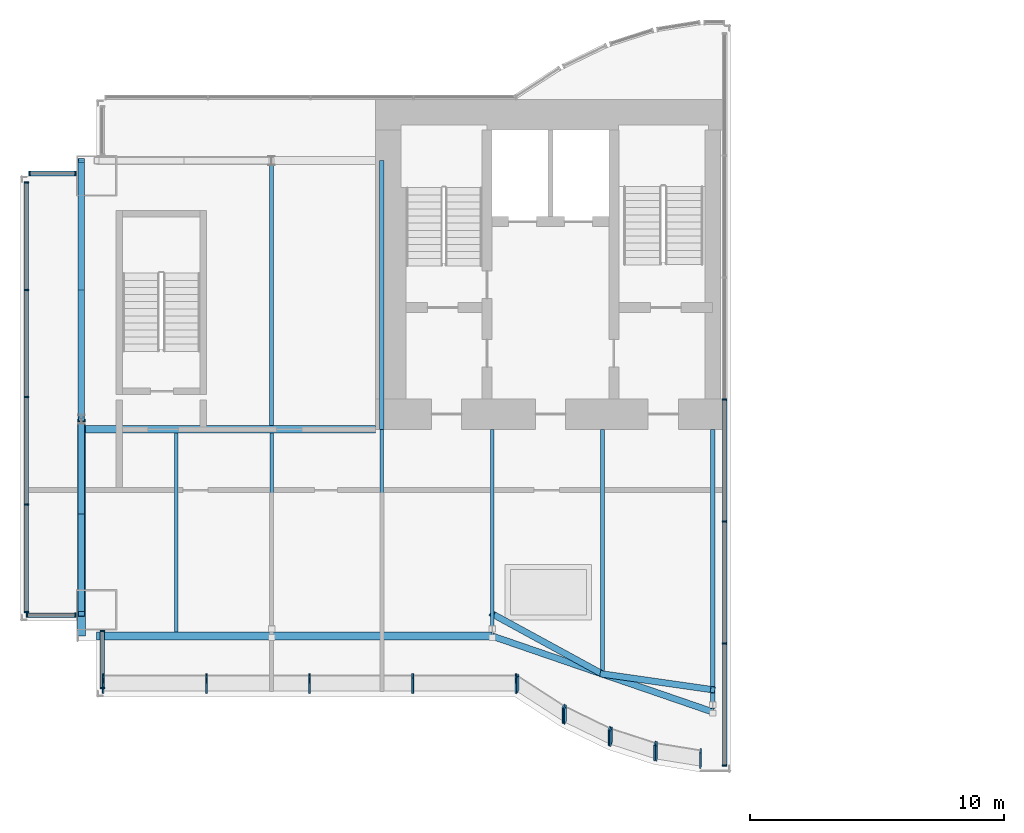
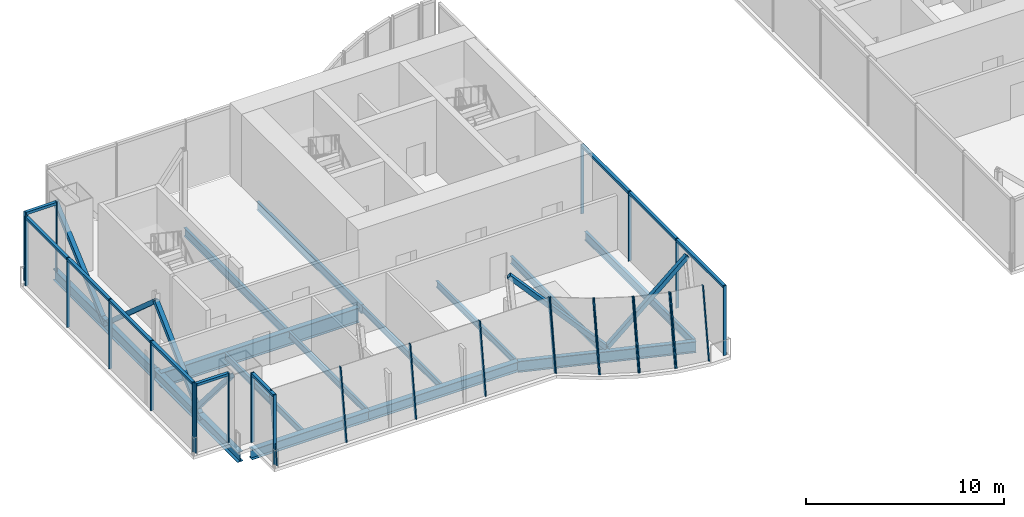
# One storey, part 3 of 14: 44 members, 14 beams, 10 elements without a shape of their own.
"""IFC4 building model written with IfcOpenShell, lengths in metres."""

from ifc_helpers import new_model, si_unit, direction, frame, origin, origin_2d, place, context, subcontext, project, spatial, rectangle, hollow_rectangle, i_section, extrude, material, material_profile, profile_set, type_object, element, aggregate, save


model = new_model("IFC4")

# Units and contexts
model_context = context("Model", 3, precision=1e-05, world=origin(), true_north=direction((0.0, 1.0)))
body_context = subcontext(model_context, "Body", "Model", "MODEL_VIEW")
ifc_project = project(units=[si_unit("LENGTHUNIT", "METRE"), si_unit("AREAUNIT", "SQUARE_METRE"), si_unit("VOLUMEUNIT", "CUBIC_METRE"), si_unit("PLANEANGLEUNIT", "RADIAN"), si_unit("MASSUNIT", "GRAM", prefix="KILO")], contexts=[model_context])

# Site, building, storey
site_placement = place(None, origin())
site = spatial("IfcSite", under=ifc_project, at=site_placement, CompositionType="ELEMENT")
building_placement = place(site_placement, origin())
building = spatial("IfcBuilding", under=site, at=building_placement, Name="Bicima Exchange Tower", CompositionType="ELEMENT")
storey_placement = place(building_placement, frame((0.0, 0.0, 352.39990234375)))
storey = spatial("IfcBuildingStorey", under=building, at=storey_placement, Name="L79", CompositionType="ELEMENT", Elevation=352.39990234375)

# Beam
ifc_material_1 = material(Name="Steel ASTM A992 Gr 50", Category="steel")
ifc_material_profile_1 = material_profile(ifc_material_1, i_section(OverallWidth=0.3046875, OverallDepth=0.911865234375, WebThickness=0.015869140625, FlangeThickness=0.02392578125, at=origin_2d()))
ifc_profile_set_1 = profile_set([ifc_material_profile_1], Name="Steel ASTM A992 Gr 50")
beam_type_1 = type_object("IfcBeamType", Name="Core-line girder W36x150", PredefinedType="BEAM", material=ifc_profile_set_1)
beam_1_placement = place(storey_placement, frame((-22.0, -13.0, -0.65576171875), z_axis=(-1.0, 0.0, 0.0), x_axis=(0.0, -1.0, 0.0)))
element("IfcBeam", 1, at=beam_1_placement, inside=storey, type_object=beam_type_1, Name="Core-line girder", PredefinedType="BEAM", context=body_context, shape_type="SweptSolid", body=[
    extrude(i_section(OverallWidth=0.3046875, OverallDepth=0.911865234375, WebThickness=0.015869140625, FlangeThickness=0.02392578125, at=origin_2d()), origin(), (0.0, 0.0, 1.0), 11.60009765625),
])

# Curtain wall, members
ifc_material_2 = material(Name="Anodised bronze aluminium", Category="aluminium")
curtain_wall_type = type_object("IfcCurtainWallType", Name="Crown glass wall", PredefinedType="NOTDEFINED", material=ifc_material_2)
curtain_wall_1_placement = place(storey_placement, origin())
curtain_wall_1 = element("IfcCurtainWall", 2, at=curtain_wall_1_placement, inside=storey, type_object=curtain_wall_type, Name="Crown glass wall L79 run 2", PredefinedType="NOTDEFINED")
ifc_material_profile_2 = material_profile(ifc_material_2, rectangle(XDim=0.179931640625, YDim=0.06005859375, at=origin_2d()))
ifc_profile_set_2 = profile_set([ifc_material_profile_2], Name="Anodised bronze aluminium")
member_type_1 = type_object("IfcMemberType", Name="Crown glass wall mullion 60 x 180", PredefinedType="MULLION", material=ifc_profile_set_2)
member_1_placement = place(storey_placement, frame((-8.22998046875, -26.258544921875, 0.0), z_axis=(0.0, 0.0, 1.0), x_axis=(-1.0, 0.0, 0.0)))
member_1 = element("IfcMember", 3, at=member_1_placement, type_object=member_type_1, Name="Crown glass wall mullion 1", PredefinedType="MULLION", context=body_context, shape_type="SweptSolid", body=[
    extrude(rectangle(XDim=0.179931640625, YDim=0.06005859375, at=origin_2d()), origin(), (0.0, 0.0, 1.0), 4.300048828125),
])
member_2_placement = place(storey_placement, frame((-8.22998046875, -21.446533203125, 0.0), z_axis=(0.0, 0.0, 1.0), x_axis=(-1.0, 0.0, 0.0)))
member_2 = element("IfcMember", 4, at=member_2_placement, type_object=member_type_1, Name="Crown glass wall mullion 2", PredefinedType="MULLION", context=body_context, shape_type="SweptSolid", body=[
    extrude(rectangle(XDim=0.179931640625, YDim=0.06005859375, at=origin_2d()), origin(), (0.0, 0.0, 1.0), 4.300048828125),
])
member_3_placement = place(storey_placement, frame((-8.22998046875, -16.634765625, 0.0), z_axis=(0.0, 0.0, 1.0), x_axis=(-1.0, 0.0, 0.0)))
member_3 = element("IfcMember", 5, at=member_3_placement, type_object=member_type_1, Name="Crown glass wall mullion 3", PredefinedType="MULLION", context=body_context, shape_type="SweptSolid", body=[
    extrude(rectangle(XDim=0.179931640625, YDim=0.06005859375, at=origin_2d()), origin(), (0.0, 0.0, 1.0), 4.300048828125),
])
member_4_placement = place(storey_placement, frame((-8.22998046875, -11.82275390625, 0.0), z_axis=(0.0, 0.0, 1.0), x_axis=(-1.0, 0.0, 0.0)))
member_4 = element("IfcMember", 6, at=member_4_placement, type_object=member_type_1, Name="Crown glass wall mullion 4", PredefinedType="MULLION", context=body_context, shape_type="SweptSolid", body=[
    extrude(rectangle(XDim=0.179931640625, YDim=0.06005859375, at=origin_2d()), origin(), (0.0, 0.0, 1.0), 4.300048828125),
])

curtain_wall_2_placement = place(storey_placement, origin())
curtain_wall_2 = element("IfcCurtainWall", 7, at=curtain_wall_2_placement, inside=storey, type_object=curtain_wall_type, Name="Crown glass wall L79 run 10", PredefinedType="NOTDEFINED")
member_5_placement = place(storey_placement, frame((-33.830078125, -2.909912109375, 0.0), z_axis=(0.0, 0.0, 1.0), x_axis=(0.0, -1.0, 0.0)))
member_5 = element("IfcMember", 8, at=member_5_placement, type_object=member_type_1, Name="Crown glass wall mullion 1", PredefinedType="MULLION", context=body_context, shape_type="SweptSolid", body=[
    extrude(rectangle(XDim=0.179931640625, YDim=0.06005859375, at=origin_2d()), origin(), (0.0, 0.0, 1.0), 4.300048828125),
])
member_6_placement = place(storey_placement, frame((-35.64990234375, -2.909912109375, 0.0), z_axis=(0.0, 0.0, 1.0), x_axis=(0.0, -1.0, 0.0)))
member_6 = element("IfcMember", 9, at=member_6_placement, type_object=member_type_1, Name="Crown glass wall mullion 2", PredefinedType="MULLION", context=body_context, shape_type="SweptSolid", body=[
    extrude(rectangle(XDim=0.179931640625, YDim=0.06005859375, at=origin_2d()), origin(), (0.0, 0.0, 1.0), 4.300048828125),
])

curtain_wall_3_placement = place(storey_placement, origin())
curtain_wall_3 = element("IfcCurtainWall", 10, at=curtain_wall_3_placement, inside=storey, type_object=curtain_wall_type, Name="Crown glass wall L79 run 11", PredefinedType="NOTDEFINED")
member_7_placement = place(storey_placement, frame((-35.77001953125, -3.260009765625, 0.0), z_axis=(0.0, 0.0, 1.0), x_axis=(1.0, 0.0, 0.0)))
member_7 = element("IfcMember", 11, at=member_7_placement, type_object=member_type_1, Name="Crown glass wall mullion 1", PredefinedType="MULLION", context=body_context, shape_type="SweptSolid", body=[
    extrude(rectangle(XDim=0.179931640625, YDim=0.06005859375, at=origin_2d()), origin(), (0.0, 0.0, 1.0), 4.300048828125),
])
member_8_placement = place(storey_placement, frame((-35.77001953125, -7.496337890625, 0.0), z_axis=(0.0, 0.0, 1.0), x_axis=(1.0, 0.0, 0.0)))
member_8 = element("IfcMember", 12, at=member_8_placement, type_object=member_type_1, Name="Crown glass wall mullion 2", PredefinedType="MULLION", context=body_context, shape_type="SweptSolid", body=[
    extrude(rectangle(XDim=0.179931640625, YDim=0.06005859375, at=origin_2d()), origin(), (0.0, 0.0, 1.0), 4.300048828125),
])
member_9_placement = place(storey_placement, frame((-35.77001953125, -11.73291015625, 0.0), z_axis=(0.0, 0.0, 1.0), x_axis=(1.0, 0.0, 0.0)))
member_9 = element("IfcMember", 13, at=member_9_placement, type_object=member_type_1, Name="Crown glass wall mullion 3", PredefinedType="MULLION", context=body_context, shape_type="SweptSolid", body=[
    extrude(rectangle(XDim=0.179931640625, YDim=0.06005859375, at=origin_2d()), origin(), (0.0, 0.0, 1.0), 4.300048828125),
])
member_10_placement = place(storey_placement, frame((-35.77001953125, -15.96923828125, 0.0), z_axis=(0.0, 0.0, 1.0), x_axis=(1.0, 0.0, 0.0)))
member_10 = element("IfcMember", 14, at=member_10_placement, type_object=member_type_1, Name="Crown glass wall mullion 4", PredefinedType="MULLION", context=body_context, shape_type="SweptSolid", body=[
    extrude(rectangle(XDim=0.179931640625, YDim=0.06005859375, at=origin_2d()), origin(), (0.0, 0.0, 1.0), 4.300048828125),
])
member_11_placement = place(storey_placement, frame((-35.77001953125, -20.20556640625, 0.0), z_axis=(0.0, 0.0, 1.0), x_axis=(1.0, 0.0, 0.0)))
member_11 = element("IfcMember", 15, at=member_11_placement, type_object=member_type_1, Name="Crown glass wall mullion 5", PredefinedType="MULLION", context=body_context, shape_type="SweptSolid", body=[
    extrude(rectangle(XDim=0.179931640625, YDim=0.06005859375, at=origin_2d()), origin(), (0.0, 0.0, 1.0), 4.300048828125),
])

curtain_wall_4_placement = place(storey_placement, origin())
curtain_wall_4 = element("IfcCurtainWall", 16, at=curtain_wall_4_placement, inside=storey, type_object=curtain_wall_type, Name="Crown glass wall L79 run 12", PredefinedType="NOTDEFINED")
member_12_placement = place(storey_placement, frame((-35.739990234375, -20.32568359375, 0.0), z_axis=(0.0, 0.0, 1.0), x_axis=(0.0, 1.0, 0.0)))
member_12 = element("IfcMember", 17, at=member_12_placement, type_object=member_type_1, Name="Crown glass wall mullion 1", PredefinedType="MULLION", context=body_context, shape_type="SweptSolid", body=[
    extrude(rectangle(XDim=0.179931640625, YDim=0.06005859375, at=origin_2d()), origin(), (0.0, 0.0, 1.0), 4.300048828125),
])
member_13_placement = place(storey_placement, frame((-33.830078125, -20.32568359375, 0.0), z_axis=(0.0, 0.0, 1.0), x_axis=(0.0, 1.0, 0.0)))
member_13 = element("IfcMember", 18, at=member_13_placement, type_object=member_type_1, Name="Crown glass wall mullion 2", PredefinedType="MULLION", context=body_context, shape_type="SweptSolid", body=[
    extrude(rectangle(XDim=0.179931640625, YDim=0.06005859375, at=origin_2d()), origin(), (0.0, 0.0, 1.0), 4.300048828125),
])

curtain_wall_5_placement = place(storey_placement, origin())
curtain_wall_5 = element("IfcCurtainWall", 19, at=curtain_wall_5_placement, inside=storey, type_object=curtain_wall_type, Name="Crown glass wall L79 run 13", PredefinedType="NOTDEFINED")
member_14_placement = place(storey_placement, frame((-32.77001953125, -20.947265625, 0.0), z_axis=(0.0, 0.0, 1.0), x_axis=(1.0, 0.0, 0.0)))
member_14 = element("IfcMember", 20, at=member_14_placement, type_object=member_type_1, Name="Crown glass wall mullion 1", PredefinedType="MULLION", context=body_context, shape_type="SweptSolid", body=[
    extrude(rectangle(XDim=0.179931640625, YDim=0.06005859375, at=origin_2d()), origin(), (0.0, 0.0, 1.0), 4.300048828125),
])
member_15_placement = place(storey_placement, frame((-32.77001953125, -23.20556640625, 0.0), z_axis=(0.0, 0.0, 1.0), x_axis=(1.0, 0.0, 0.0)))
member_15 = element("IfcMember", 21, at=member_15_placement, type_object=member_type_1, Name="Crown glass wall mullion 2", PredefinedType="MULLION", context=body_context, shape_type="SweptSolid", body=[
    extrude(rectangle(XDim=0.179931640625, YDim=0.06005859375, at=origin_2d()), origin(), (0.0, 0.0, 1.0), 4.300048828125),
])

curtain_wall_6_placement = place(storey_placement, origin())
curtain_wall_6 = element("IfcCurtainWall", 22, at=curtain_wall_6_placement, inside=storey, type_object=curtain_wall_type, Name="Crown tilted glass L79 14.1", PredefinedType="NOTDEFINED")
member_16_placement = place(storey_placement, frame((-32.739990234375, -23.32568359375, 0.0), z_axis=(0.0, 0.139209174124, 0.990262998319), x_axis=(0.0, -0.990262998319, 0.139209174124)))
member_16 = element("IfcMember", 23, at=member_16_placement, type_object=member_type_1, Name="Crown tilted mullion 1", PredefinedType="MULLION", context=body_context, shape_type="SweptSolid", body=[
    extrude(rectangle(XDim=0.179931640625, YDim=0.06005859375, at=origin_2d()), origin(), (0.0, 0.0, 1.0), 4.34228515625),
])
member_17_placement = place(storey_placement, frame((-28.67041015625, -23.32568359375, 0.0), z_axis=(0.0, 0.139209174124, 0.990262998319), x_axis=(0.0, -0.990262998319, 0.139209174124)))
member_17 = element("IfcMember", 24, at=member_17_placement, type_object=member_type_1, Name="Crown tilted mullion 2", PredefinedType="MULLION", context=body_context, shape_type="SweptSolid", body=[
    extrude(rectangle(XDim=0.179931640625, YDim=0.06005859375, at=origin_2d()), origin(), (0.0, 0.0, 1.0), 4.34228515625),
])
member_18_placement = place(storey_placement, frame((-24.60107421875, -23.32568359375, 0.0), z_axis=(0.0, 0.139209174124, 0.990262998319), x_axis=(0.0, -0.990262998319, 0.139209174124)))
member_18 = element("IfcMember", 25, at=member_18_placement, type_object=member_type_1, Name="Crown tilted mullion 3", PredefinedType="MULLION", context=body_context, shape_type="SweptSolid", body=[
    extrude(rectangle(XDim=0.179931640625, YDim=0.06005859375, at=origin_2d()), origin(), (0.0, 0.0, 1.0), 4.34228515625),
])
member_19_placement = place(storey_placement, frame((-20.531494140625, -23.32568359375, 0.0), z_axis=(0.0, 0.139209174124, 0.990262998319), x_axis=(0.0, -0.990262998319, 0.139209174124)))
member_19 = element("IfcMember", 26, at=member_19_placement, type_object=member_type_1, Name="Crown tilted mullion 4", PredefinedType="MULLION", context=body_context, shape_type="SweptSolid", body=[
    extrude(rectangle(XDim=0.179931640625, YDim=0.06005859375, at=origin_2d()), origin(), (0.0, 0.0, 1.0), 4.34228515625),
])
member_20_placement = place(storey_placement, frame((-16.462158203125, -23.32568359375, 0.0), z_axis=(0.0, 0.139209174124, 0.990262998319), x_axis=(0.0, -0.990262998319, 0.139209174124)))
member_20 = element("IfcMember", 27, at=member_20_placement, type_object=member_type_1, Name="Crown tilted mullion 5", PredefinedType="MULLION", context=body_context, shape_type="SweptSolid", body=[
    extrude(rectangle(XDim=0.179931640625, YDim=0.06005859375, at=origin_2d()), origin(), (0.0, 0.0, 1.0), 4.34228515625),
])
aggregate(curtain_wall_6, [member_16, member_17, member_18, member_19, member_20])

curtain_wall_7_placement = place(storey_placement, origin())
curtain_wall_7 = element("IfcCurtainWall", 28, at=curtain_wall_7_placement, inside=storey, type_object=curtain_wall_type, Name="Crown tilted glass L79 15.1", PredefinedType="NOTDEFINED")
member_21_placement = place(storey_placement, frame((-16.406982421875, -23.341796875, 0.0), z_axis=(0.0, 0.139154039626, 0.99027074745), x_axis=(-0.542910648791, -0.831619932848, 0.116860235837)))
member_21 = element("IfcMember", 29, at=member_21_placement, type_object=member_type_1, Name="Crown tilted mullion 1", PredefinedType="MULLION", context=body_context, shape_type="SweptSolid", body=[
    extrude(rectangle(XDim=0.179931640625, YDim=0.06005859375, at=origin_2d()), origin(), (0.0, 0.0, 1.0), 4.34228515625),
])
member_22_placement = place(storey_placement, frame((-14.578857421875, -24.523681640625, 0.0), z_axis=(0.0, 0.139154039626, 0.99027074745), x_axis=(-0.542910648791, -0.831619932848, 0.116860235837)))
member_22 = element("IfcMember", 30, at=member_22_placement, type_object=member_type_1, Name="Crown tilted mullion 2", PredefinedType="MULLION", context=body_context, shape_type="SweptSolid", body=[
    extrude(rectangle(XDim=0.179931640625, YDim=0.06005859375, at=origin_2d()), origin(), (0.0, 0.0, 1.0), 4.34228515625),
])
aggregate(curtain_wall_7, [member_21, member_22])

curtain_wall_8_placement = place(storey_placement, origin())
curtain_wall_8 = element("IfcCurtainWall", 31, at=curtain_wall_8_placement, inside=storey, type_object=curtain_wall_type, Name="Crown tilted glass L79 16.1", PredefinedType="NOTDEFINED")
member_23_placement = place(storey_placement, frame((-14.526611328125, -24.552978515625, 0.0), z_axis=(0.0, 0.139154039626, 0.99027074745), x_axis=(-0.436225499807, -0.891082636457, 0.125216006656)))
member_23 = element("IfcMember", 32, at=member_23_placement, type_object=member_type_1, Name="Crown tilted mullion 1", PredefinedType="MULLION", context=body_context, shape_type="SweptSolid", body=[
    extrude(rectangle(XDim=0.179931640625, YDim=0.06005859375, at=origin_2d()), origin(), (0.0, 0.0, 1.0), 4.34228515625),
])
member_24_placement = place(storey_placement, frame((-12.7744140625, -25.402587890625, 0.0), z_axis=(0.0, 0.139154039626, 0.99027074745), x_axis=(-0.436225499807, -0.891082636457, 0.125216006656)))
member_24 = element("IfcMember", 33, at=member_24_placement, type_object=member_type_1, Name="Crown tilted mullion 2", PredefinedType="MULLION", context=body_context, shape_type="SweptSolid", body=[
    extrude(rectangle(XDim=0.179931640625, YDim=0.06005859375, at=origin_2d()), origin(), (0.0, 0.0, 1.0), 4.34228515625),
])
aggregate(curtain_wall_8, [member_23, member_24])

curtain_wall_9_placement = place(storey_placement, origin())
curtain_wall_9 = element("IfcCurtainWall", 34, at=curtain_wall_9_placement, inside=storey, type_object=curtain_wall_type, Name="Crown tilted glass L79 17.1", PredefinedType="NOTDEFINED")
member_25_placement = place(storey_placement, frame((-12.71875, -25.4248046875, 0.0), z_axis=(0.0, 0.139154039626, 0.99027074745), x_axis=(-0.307572519808, -0.942267018828, 0.132408497791)))
member_25 = element("IfcMember", 35, at=member_25_placement, type_object=member_type_1, Name="Crown tilted mullion 1", PredefinedType="MULLION", context=body_context, shape_type="SweptSolid", body=[
    extrude(rectangle(XDim=0.179931640625, YDim=0.06005859375, at=origin_2d()), origin(), (0.0, 0.0, 1.0), 4.34228515625),
])
member_26_placement = place(storey_placement, frame((-10.974609375, -25.98876953125, 0.0), z_axis=(0.0, 0.139154039626, 0.99027074745), x_axis=(-0.307572519808, -0.942267018828, 0.132408497791)))
member_26 = element("IfcMember", 36, at=member_26_placement, type_object=member_type_1, Name="Crown tilted mullion 2", PredefinedType="MULLION", context=body_context, shape_type="SweptSolid", body=[
    extrude(rectangle(XDim=0.179931640625, YDim=0.06005859375, at=origin_2d()), origin(), (0.0, 0.0, 1.0), 4.34228515625),
])
aggregate(curtain_wall_9, [member_25, member_26])

curtain_wall_10_placement = place(storey_placement, origin())
curtain_wall_10 = element("IfcCurtainWall", 37, at=curtain_wall_10_placement, inside=storey, type_object=curtain_wall_type, Name="Crown tilted glass L79 18.1", PredefinedType="NOTDEFINED")
member_27_placement = place(storey_placement, frame((-10.91650390625, -26.002685546875, 0.0), z_axis=(0.0, 0.139154039626, 0.99027074745), x_axis=(-0.159550386184, -0.977585167601, 0.137371446648)))
member_27 = element("IfcMember", 38, at=member_27_placement, type_object=member_type_1, Name="Crown tilted mullion 1", PredefinedType="MULLION", context=body_context, shape_type="SweptSolid", body=[
    extrude(rectangle(XDim=0.179931640625, YDim=0.06005859375, at=origin_2d()), origin(), (0.0, 0.0, 1.0), 4.34228515625),
])
member_28_placement = place(storey_placement, frame((-9.177734375, -26.28369140625, 0.0), z_axis=(0.0, 0.139154039626, 0.99027074745), x_axis=(-0.159550386184, -0.977585167601, 0.137371446648)))
member_28 = element("IfcMember", 39, at=member_28_placement, type_object=member_type_1, Name="Crown tilted mullion 2", PredefinedType="MULLION", context=body_context, shape_type="SweptSolid", body=[
    extrude(rectangle(XDim=0.179931640625, YDim=0.06005859375, at=origin_2d()), origin(), (0.0, 0.0, 1.0), 4.34228515625),
])
aggregate(curtain_wall_10, [member_27, member_28])

# Member
ifc_material_profile_3 = material_profile(ifc_material_2, rectangle(XDim=0.179931640625, YDim=0.159912109375, at=origin_2d()))
ifc_profile_set_3 = profile_set([ifc_material_profile_3], Name="Anodised bronze aluminium")
member_type_2 = type_object("IfcMemberType", Name="Crown glass wall transom 160 x 180", PredefinedType="USERDEFINED", material=ifc_profile_set_3)
member_29_placement = place(storey_placement, frame((-8.22998046875, -26.228515625, 4.22021484375), z_axis=(0.0, 1.0, 0.0), x_axis=(-1.0, 0.0, 0.0)))
member_29 = element("IfcMember", 40, at=member_29_placement, type_object=member_type_2, Name="Crown glass wall transom 1.1", ObjectType="TRANSOM", PredefinedType="USERDEFINED", context=body_context, shape_type="SweptSolid", body=[
    extrude(rectangle(XDim=0.179931640625, YDim=0.159912109375, at=origin_2d()), origin(), (0.0, 0.0, 1.0), 4.751953125),
])

member_30_placement = place(storey_placement, frame((-8.22998046875, -21.41650390625, 4.22021484375), z_axis=(0.0, 1.0, 0.0), x_axis=(-1.0, 0.0, 0.0)))
member_30 = element("IfcMember", 41, at=member_30_placement, type_object=member_type_2, Name="Crown glass wall transom 2.1", ObjectType="TRANSOM", PredefinedType="USERDEFINED", context=body_context, shape_type="SweptSolid", body=[
    extrude(rectangle(XDim=0.179931640625, YDim=0.159912109375, at=origin_2d()), origin(), (0.0, 0.0, 1.0), 4.751708984375),
])

member_31_placement = place(storey_placement, frame((-8.22998046875, -16.604736328125, 4.22021484375), z_axis=(0.0, 1.0, 0.0), x_axis=(-1.0, 0.0, 0.0)))
member_31 = element("IfcMember", 42, at=member_31_placement, type_object=member_type_2, Name="Crown glass wall transom 3.1", ObjectType="TRANSOM", PredefinedType="USERDEFINED", context=body_context, shape_type="SweptSolid", body=[
    extrude(rectangle(XDim=0.179931640625, YDim=0.159912109375, at=origin_2d()), origin(), (0.0, 0.0, 1.0), 4.751953125),
])

aggregate(curtain_wall_1, [member_1, member_2, member_3, member_4, member_29, member_30, member_31])

member_32_placement = place(storey_placement, frame((-33.860107421875, -2.909912109375, 4.22021484375), z_axis=(-1.0, 0.0, 0.0), x_axis=(0.0, -1.0, 0.0)))
member_32 = element("IfcMember", 43, at=member_32_placement, type_object=member_type_2, Name="Crown glass wall transom 1.1", ObjectType="TRANSOM", PredefinedType="USERDEFINED", context=body_context, shape_type="SweptSolid", body=[
    extrude(rectangle(XDim=0.179931640625, YDim=0.159912109375, at=origin_2d()), origin(), (0.0, 0.0, 1.0), 1.760009765625),
])

aggregate(curtain_wall_2, [member_5, member_6, member_32])

member_33_placement = place(storey_placement, frame((-35.77001953125, -3.2900390625, 4.22021484375), z_axis=(0.0, -1.0, 0.0), x_axis=(1.0, 0.0, 0.0)))
member_33 = element("IfcMember", 44, at=member_33_placement, type_object=member_type_2, Name="Crown glass wall transom 1.1", ObjectType="TRANSOM", PredefinedType="USERDEFINED", context=body_context, shape_type="SweptSolid", body=[
    extrude(rectangle(XDim=0.179931640625, YDim=0.159912109375, at=origin_2d()), origin(), (0.0, 0.0, 1.0), 4.17626953125),
])

member_34_placement = place(storey_placement, frame((-35.77001953125, -7.5263671875, 4.22021484375), z_axis=(0.0, -1.0, 0.0), x_axis=(1.0, 0.0, 0.0)))
member_34 = element("IfcMember", 45, at=member_34_placement, type_object=member_type_2, Name="Crown glass wall transom 2.1", ObjectType="TRANSOM", PredefinedType="USERDEFINED", context=body_context, shape_type="SweptSolid", body=[
    extrude(rectangle(XDim=0.179931640625, YDim=0.159912109375, at=origin_2d()), origin(), (0.0, 0.0, 1.0), 4.176513671875),
])

member_35_placement = place(storey_placement, frame((-35.77001953125, -11.7626953125, 4.22021484375), z_axis=(0.0, -1.0, 0.0), x_axis=(1.0, 0.0, 0.0)))
member_35 = element("IfcMember", 46, at=member_35_placement, type_object=member_type_2, Name="Crown glass wall transom 3.1", ObjectType="TRANSOM", PredefinedType="USERDEFINED", context=body_context, shape_type="SweptSolid", body=[
    extrude(rectangle(XDim=0.179931640625, YDim=0.159912109375, at=origin_2d()), origin(), (0.0, 0.0, 1.0), 4.176513671875),
])

member_36_placement = place(storey_placement, frame((-35.77001953125, -15.999267578125, 4.22021484375), z_axis=(0.0, -1.0, 0.0), x_axis=(1.0, 0.0, 0.0)))
member_36 = element("IfcMember", 47, at=member_36_placement, type_object=member_type_2, Name="Crown glass wall transom 4.1", ObjectType="TRANSOM", PredefinedType="USERDEFINED", context=body_context, shape_type="SweptSolid", body=[
    extrude(rectangle(XDim=0.179931640625, YDim=0.159912109375, at=origin_2d()), origin(), (0.0, 0.0, 1.0), 4.17626953125),
])

aggregate(curtain_wall_3, [member_7, member_8, member_9, member_10, member_11, member_33, member_34, member_35, member_36])

member_37_placement = place(storey_placement, frame((-35.7099609375, -20.32568359375, 4.22021484375), z_axis=(1.0, 0.0, 0.0), x_axis=(0.0, 1.0, 0.0)))
member_37 = element("IfcMember", 48, at=member_37_placement, type_object=member_type_2, Name="Crown glass wall transom 1.1", ObjectType="TRANSOM", PredefinedType="USERDEFINED", context=body_context, shape_type="SweptSolid", body=[
    extrude(rectangle(XDim=0.179931640625, YDim=0.159912109375, at=origin_2d()), origin(), (0.0, 0.0, 1.0), 1.849853515625),
])

aggregate(curtain_wall_4, [member_12, member_13, member_37])

member_38_placement = place(storey_placement, frame((-32.77001953125, -20.977294921875, 4.22021484375), z_axis=(0.0, -1.0, 0.0), x_axis=(1.0, 0.0, 0.0)))
member_38 = element("IfcMember", 49, at=member_38_placement, type_object=member_type_2, Name="Crown glass wall transom 1.1", ObjectType="TRANSOM", PredefinedType="USERDEFINED", context=body_context, shape_type="SweptSolid", body=[
    extrude(rectangle(XDim=0.179931640625, YDim=0.159912109375, at=origin_2d()), origin(), (0.0, 0.0, 1.0), 2.1982421875),
])

aggregate(curtain_wall_5, [member_14, member_15, member_38])

# Beams
ifc_material_profile_4 = material_profile(ifc_material_1, i_section(OverallWidth=0.3251953125, OverallDepth=0.612060546875, WebThickness=0.0126953125, FlangeThickness=0.01904296875, at=origin_2d()))
ifc_profile_set_4 = profile_set([ifc_material_profile_4], Name="Steel ASTM A992 Gr 50")
beam_type_2 = type_object("IfcBeamType", Name="End girder W24x104", PredefinedType="BEAM", material=ifc_profile_set_4)
beam_2_placement = place(storey_placement, frame((-33.60009765625, -12.60009765625, -0.506103515625), z_axis=(0.0, -1.0, 0.0), x_axis=(1.0, 0.0, 0.0)))
element("IfcBeam", 50, at=beam_2_placement, inside=storey, type_object=beam_type_2, Name="End girder", PredefinedType="BEAM", context=body_context, shape_type="SweptSolid", body=[
    extrude(i_section(OverallWidth=0.3251953125, OverallDepth=0.612060546875, WebThickness=0.0126953125, FlangeThickness=0.01904296875, at=origin_2d()), origin(), (0.0, 0.0, 1.0), 8.555419921875),
])
ifc_material_profile_5 = material_profile(ifc_material_1, i_section(OverallWidth=0.256591796875, OverallDepth=0.693359375, WebThickness=0.014404296875, FlangeThickness=0.023681640625, at=origin_2d()))
ifc_profile_set_5 = profile_set([ifc_material_profile_5], Name="Steel ASTM A992 Gr 50")
beam_type_3 = type_object("IfcBeamType", Name="End girder W27x114", PredefinedType="BEAM", material=ifc_profile_set_5)
beam_3_placement = place(storey_placement, frame((-33.60009765625, -2.39990234375, -0.546630859375), z_axis=(0.0, -1.0, 0.0), x_axis=(1.0, 0.0, 0.0)))
element("IfcBeam", 51, at=beam_3_placement, inside=storey, type_object=beam_type_3, Name="End girder", PredefinedType="BEAM", context=body_context, shape_type="SweptSolid", body=[
    extrude(i_section(OverallWidth=0.256591796875, OverallDepth=0.693359375, WebThickness=0.014404296875, FlangeThickness=0.023681640625, at=origin_2d()), origin(), (0.0, 0.0, 1.0), 10.2001953125),
])
ifc_material_profile_6 = material_profile(ifc_material_1, i_section(OverallWidth=0.140380859375, OverallDepth=0.40380859375, WebThickness=0.007080078125, FlangeThickness=0.01123046875, at=origin_2d()))
ifc_profile_set_6 = profile_set([ifc_material_profile_6], Name="Steel ASTM A992 Gr 50")
beam_type_4 = type_object("IfcBeamType", Name="Floor beam W16x31", PredefinedType="JOIST", material=ifc_profile_set_6)
for number, where, z_axis, x_axis, name in (
    (52, (-29.85009765625, -13.15234375, -0.40185546875), (0.0, -1.0, 0.0), (1.0, 0.0, 0.0), "Floor beam"),
    (53, (-26.10009765625, -13.15234375, -0.40185546875), (0.0, -1.0, 0.0), (1.0, 0.0, 0.0), "Floor beam"),
):
    element("IfcBeam", number, at=place(storey_placement, frame(where, z_axis=z_axis, x_axis=x_axis)), inside=storey, type_object=beam_type_4, Name=name, PredefinedType="JOIST", context=body_context, shape_type="SweptSolid", body=[
        extrude(i_section(OverallWidth=0.140380859375, OverallDepth=0.40380859375, WebThickness=0.007080078125, FlangeThickness=0.01123046875, at=origin_2d()), origin(), (0.0, 0.0, 1.0), 7.840576171875),
    ])
for number, where, z_axis, x_axis, name in (
    (54, (-21.75, -13.0, -0.40185546875), (0.0, -1.0, 0.0), (1.0, 0.0, 0.0), "Floor beam"),
    (55, (-17.39990234375, -13.0, -0.40185546875), (0.0, -1.0, 0.0), (1.0, 0.0, 0.0), "Floor beam"),
):
    element("IfcBeam", number, at=place(storey_placement, frame(where, z_axis=z_axis, x_axis=x_axis)), inside=storey, type_object=beam_type_4, Name=name, PredefinedType="JOIST", context=body_context, shape_type="SweptSolid", body=[
        extrude(i_section(OverallWidth=0.140380859375, OverallDepth=0.40380859375, WebThickness=0.007080078125, FlangeThickness=0.01123046875, at=origin_2d()), origin(), (0.0, 0.0, 1.0), 7.992919921875),
    ])
ifc_material_profile_7 = material_profile(ifc_material_1, i_section(OverallWidth=0.15283203125, OverallDepth=0.45458984375, WebThickness=0.008056640625, FlangeThickness=0.013427734375, at=origin_2d()))
ifc_profile_set_7 = profile_set([ifc_material_profile_7], Name="Steel ASTM A992 Gr 50")
beam_type_5 = type_object("IfcBeamType", Name="Floor beam W18x40", PredefinedType="JOIST", material=ifc_profile_set_7)
beam_4_placement = place(storey_placement, frame((-13.050048828125, -13.0, -0.42724609375), z_axis=(0.0, -1.0, 0.0), x_axis=(1.0, 0.0, 0.0)))
element("IfcBeam", 56, at=beam_4_placement, inside=storey, type_object=beam_type_5, Name="Floor beam", PredefinedType="JOIST", context=body_context, shape_type="SweptSolid", body=[
    extrude(i_section(OverallWidth=0.15283203125, OverallDepth=0.45458984375, WebThickness=0.008056640625, FlangeThickness=0.013427734375, at=origin_2d()), origin(), (0.0, 0.0, 1.0), 9.515380859375),
])
ifc_material_profile_8 = material_profile(ifc_material_1, i_section(OverallWidth=0.165771484375, OverallDepth=0.5283203125, WebThickness=0.009765625, FlangeThickness=0.013671875, at=origin_2d()))
ifc_profile_set_8 = profile_set([ifc_material_profile_8], Name="Steel ASTM A992 Gr 50")
beam_type_6 = type_object("IfcBeamType", Name="Floor beam W21x50", PredefinedType="JOIST", material=ifc_profile_set_8)
beam_5_placement = place(storey_placement, frame((-26.10009765625, -2.5625, -0.464111328125), z_axis=(0.0, -1.0, 0.0), x_axis=(1.0, 0.0, 0.0)))
element("IfcBeam", 57, at=beam_5_placement, inside=storey, type_object=beam_type_6, Name="Floor beam", PredefinedType="JOIST", context=body_context, shape_type="SweptSolid", body=[
    extrude(i_section(OverallWidth=0.165771484375, OverallDepth=0.5283203125, WebThickness=0.009765625, FlangeThickness=0.013671875, at=origin_2d()), origin(), (0.0, 0.0, 1.0), 10.28515625),
])
beam_6_placement = place(storey_placement, frame((-21.75, -2.39990234375, -0.464111328125), z_axis=(0.0, -1.0, 0.0), x_axis=(1.0, 0.0, 0.0)))
element("IfcBeam", 58, at=beam_6_placement, inside=storey, type_object=beam_type_6, Name="Floor beam", PredefinedType="JOIST", context=body_context, shape_type="SweptSolid", body=[
    extrude(i_section(OverallWidth=0.165771484375, OverallDepth=0.5283203125, WebThickness=0.009765625, FlangeThickness=0.013671875, at=origin_2d()), origin(), (0.0, 0.0, 1.0), 10.60009765625),
])
beam_7_placement = place(storey_placement, frame((-8.699951171875, -13.0, -0.464111328125), z_axis=(0.0, -1.0, 0.0), x_axis=(1.0, 0.0, 0.0)))
element("IfcBeam", 59, at=beam_7_placement, inside=storey, type_object=beam_type_6, Name="Floor beam", PredefinedType="JOIST", context=body_context, shape_type="SweptSolid", body=[
    extrude(i_section(OverallWidth=0.165771484375, OverallDepth=0.5283203125, WebThickness=0.009765625, FlangeThickness=0.013671875, at=origin_2d()), origin(), (0.0, 0.0, 1.0), 11.010986328125),
])
beam_type_7 = type_object("IfcBeamType", Name="Front girder W24x104", PredefinedType="BEAM", material=ifc_profile_set_4)
beam_8_placement = place(storey_placement, frame((-33.0, -21.155517578125, -0.506103515625), z_axis=(1.0, 0.0, 0.0), x_axis=(0.0, 1.0, 0.0)))
element("IfcBeam", 60, at=beam_8_placement, inside=storey, type_object=beam_type_7, Name="Front girder", PredefinedType="BEAM", context=body_context, shape_type="SweptSolid", body=[
    extrude(i_section(OverallWidth=0.3251953125, OverallDepth=0.612060546875, WebThickness=0.0126953125, FlangeThickness=0.01904296875, at=origin_2d()), origin(), (0.0, 0.0, 1.0), 6.89990234375),
])
beam_9_placement = place(storey_placement, frame((-26.10009765625, -21.155517578125, -0.506103515625), z_axis=(1.0, 0.0, 0.0), x_axis=(0.0, 1.0, 0.0)))
element("IfcBeam", 61, at=beam_9_placement, inside=storey, type_object=beam_type_7, Name="Front girder", PredefinedType="BEAM", context=body_context, shape_type="SweptSolid", body=[
    extrude(i_section(OverallWidth=0.3251953125, OverallDepth=0.612060546875, WebThickness=0.0126953125, FlangeThickness=0.01904296875, at=origin_2d()), origin(), (0.0, 0.0, 1.0), 8.7001953125),
])
beam_type_8 = type_object("IfcBeamType", Name="Front girder W27x114", PredefinedType="BEAM", material=ifc_profile_set_5)
beam_10_placement = place(storey_placement, frame((-17.39990234375, -21.155517578125, -0.546630859375), z_axis=(0.945674616091, -0.32511462668, 0.0), x_axis=(0.32511462668, 0.945674616091, 0.0)))
element("IfcBeam", 62, at=beam_10_placement, inside=storey, type_object=beam_type_8, Name="Front girder", PredefinedType="BEAM", context=body_context, shape_type="SweptSolid", body=[
    extrude(i_section(OverallWidth=0.256591796875, OverallDepth=0.693359375, WebThickness=0.014404296875, FlangeThickness=0.023681640625, at=origin_2d()), origin(), (0.0, 0.0, 1.0), 9.19970703125),
])

# Members
ifc_material_3 = material(Name="Steel ASTM A572 Gr 50", Category="steel")
ifc_material_profile_9 = material_profile(ifc_material_3, hollow_rectangle(XDim=0.25390625, YDim=0.25390625, WallThickness=0.01171875, at=origin_2d()))
ifc_profile_set_9 = profile_set([ifc_material_profile_9], Name="Steel ASTM A572 Gr 50")
member_type_3 = type_object("IfcMemberType", Name="Mega brace HSS10x10x1/2", PredefinedType="BRACE", material=ifc_profile_set_9)
member_39_placement = place(storey_placement, frame((-13.050048828125, -22.651123046875, 0.0), z_axis=(0.691654271896, -0.09844175741, 0.715488356695), x_axis=(0.140907934492, 0.990022703779, 0.0)))
element("IfcMember", 63, at=member_39_placement, inside=storey, type_object=member_type_3, Name="Mega brace front", PredefinedType="BRACE", context=body_context, shape_type="SweptSolid", body=[
    extrude(hollow_rectangle(XDim=0.25390625, YDim=0.25390625, WallThickness=0.01171875, at=origin_2d()), origin(), (0.0, 0.0, 1.0), 6.289306640625),
])
member_40_placement = place(storey_placement, frame((-13.050048828125, -22.651123046875, 0.0), z_axis=(-0.649898590044, 0.354403923268, 0.672331526727), x_axis=(-0.478762364863, -0.877944530133, 0.0)))
element("IfcMember", 64, at=member_40_placement, inside=storey, type_object=member_type_3, Name="Mega brace front", PredefinedType="BRACE", context=body_context, shape_type="SweptSolid", body=[
    extrude(hollow_rectangle(XDim=0.25390625, YDim=0.25390625, WallThickness=0.01171875, at=origin_2d()), origin(), (0.0, 0.0, 1.0), 6.693115234375),
])
for number, where, z_axis, x_axis, name in (
    (65, (-33.60009765625, -7.5, -0.546630859375), (0.0, -0.749844140428, 0.661614513948), (1.0, 0.0, 0.0), "Mega brace west end"),
    (66, (-33.60009765625, -7.5, -0.546630859375), (0.0, 0.749844140428, 0.661614513948), (-1.0, 0.0, 0.0), "Mega brace west end"),
):
    element("IfcMember", number, at=place(storey_placement, frame(where, z_axis=z_axis, x_axis=x_axis)), inside=storey, type_object=member_type_3, Name=name, PredefinedType="BRACE", context=body_context, shape_type="SweptSolid", body=[
        extrude(hollow_rectangle(XDim=0.25390625, YDim=0.25390625, WallThickness=0.01171875, at=origin_2d()), origin(), (0.0, 0.0, 1.0), 6.801513671875),
    ])
member_41_placement = place(storey_placement, frame((-33.60009765625, -16.439697265625, -0.506103515625), z_axis=(0.0, -0.649056219271, 0.760740444716), x_axis=(1.0, 0.0, 0.0)))
element("IfcMember", 67, at=member_41_placement, inside=storey, type_object=member_type_3, Name="Mega brace west end", PredefinedType="BRACE", context=body_context, shape_type="SweptSolid", body=[
    extrude(hollow_rectangle(XDim=0.25390625, YDim=0.25390625, WallThickness=0.01171875, at=origin_2d()), origin(), (0.0, 0.0, 1.0), 5.915283203125),
])
member_42_placement = place(storey_placement, frame((-33.60009765625, -17.31591796875, -0.506103515625), z_axis=(0.0, 0.723467776093, 0.690358151219), x_axis=(-1.0, 0.0, 0.0)))
element("IfcMember", 68, at=member_42_placement, inside=storey, type_object=member_type_3, Name="Mega brace west end", PredefinedType="BRACE", context=body_context, shape_type="SweptSolid", body=[
    extrude(hollow_rectangle(XDim=0.25390625, YDim=0.25390625, WallThickness=0.01171875, at=origin_2d()), origin(), (0.0, 0.0, 1.0), 6.518310546875),
])

save(model, "model.ifc")
